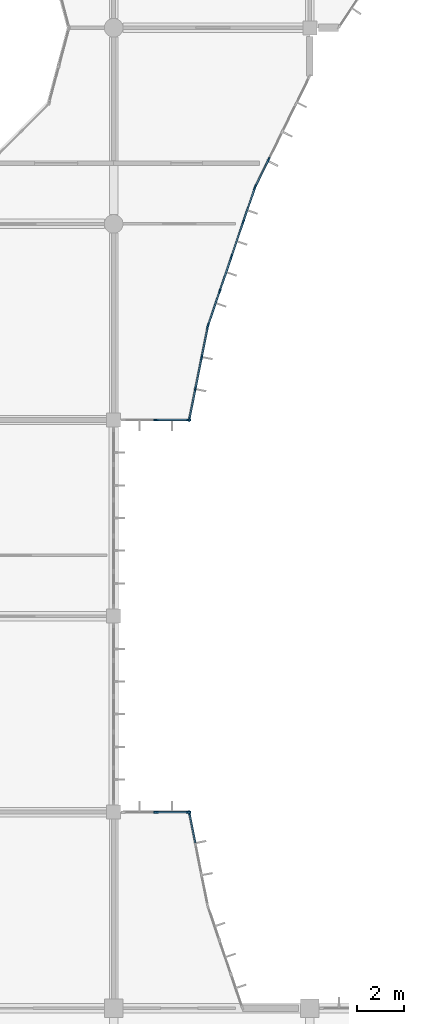
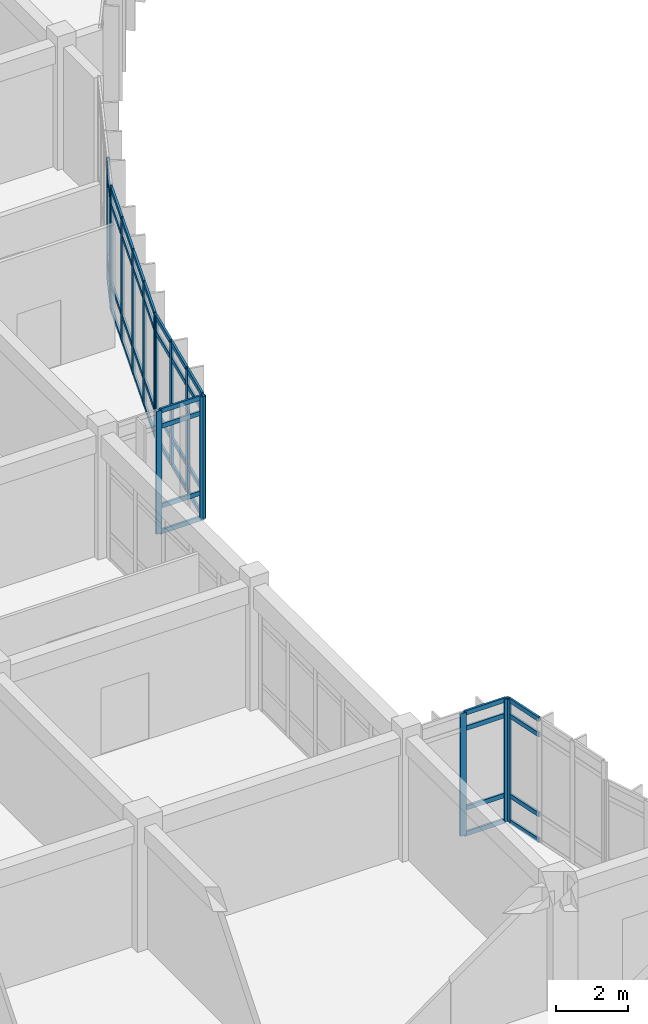
# One storey, part 62 of 144: 59 members, 6 elements without a shape of their own.
"""IFC4 building model written with IfcOpenShell, lengths in metres."""

from ifc_helpers import new_model, si_unit, direction, frame, origin, origin_2d, place, context, subcontext, project, spatial, rectangle, extrude, material, layer, layer_set, material_profile, profile_set, type_object, element, aggregate, save


model = new_model("IFC4")

# Units and contexts
model_context = context("Model", 3, precision=1e-05, world=origin(), true_north=direction((0.0, 1.0)))
body_context = subcontext(model_context, "Body", "Model", "MODEL_VIEW")
ifc_project = project(units=[si_unit("LENGTHUNIT", "METRE"), si_unit("AREAUNIT", "SQUARE_METRE"), si_unit("VOLUMEUNIT", "CUBIC_METRE"), si_unit("PLANEANGLEUNIT", "RADIAN"), si_unit("MASSUNIT", "GRAM", prefix="KILO")], contexts=[model_context])

# Site, building, storey
site_placement = place(None, origin())
site = spatial("IfcSite", under=ifc_project, at=site_placement, CompositionType="ELEMENT")
building_placement = place(site_placement, origin())
building = spatial("IfcBuilding", under=site, at=building_placement, Name="Bramfleet General Hospital", CompositionType="ELEMENT")
storey_placement = place(building_placement, frame((0.0, 0.0, 4.800048828125)))
storey = spatial("IfcBuildingStorey", under=building, at=storey_placement, Name="L01", CompositionType="ELEMENT", Elevation=4.800048828125)

# Curtain wall, members
ifc_material_1 = material(Name="Anodised aluminium and low-E triple glazing", Category="aluminium")
ifc_layer_1 = layer(ifc_material_1, 0.179931640625, Name="CWT-CW-05")
ifc_layer_set_1 = layer_set([ifc_layer_1], Name="Anodised aluminium and low-E triple glazing")
curtain_wall_type_1 = type_object("IfcCurtainWallType", Name="CWT-CW-05", PredefinedType="USERDEFINED", material=ifc_layer_set_1)
curtain_wall_1_placement = place(storey_placement, origin())
curtain_wall_1 = element("IfcCurtainWall", 1, at=curtain_wall_1_placement, inside=storey, type_object=curtain_wall_type_1, Name="L01 Curtain Wall 59", ObjectType="Unitised curtain wall", PredefinedType="USERDEFINED")
ifc_material_2 = material(Name="Structural timber GL28h", Category="wood")
ifc_material_profile_1 = material_profile(ifc_material_2, rectangle(XDim=0.070068359375, YDim=0.18994140625, at=origin_2d()), Name="LARCH 190x70")
ifc_profile_set_1 = profile_set([ifc_material_profile_1], Name="Structural timber GL28h")
member_type_1 = type_object("IfcMemberType", Name="CWM-LARCH450", PredefinedType="MULLION", material=ifc_profile_set_1)
member_1_placement = place(storey_placement, frame((132.640380859375, 61.558349609375, 0.0), z_axis=(0.0, 0.0, 1.0), x_axis=(0.896864723513, -0.442304948782, 0.0)))
member_1 = element("IfcMember", 2, at=member_1_placement, type_object=member_type_1, Name="CW-05 mullion 4", PredefinedType="MULLION", context=body_context, shape_type="SweptSolid", body=[
    extrude(rectangle(XDim=0.070068359375, YDim=0.18994140625, at=origin_2d()), origin(), (0.0, 0.0, 1.0), 4.139892578125),
])
member_2_placement = place(storey_placement, frame((132.069580078125, 60.400390625, 0.0), z_axis=(0.0, 0.0, 1.0), x_axis=(0.896864723513, -0.442304948782, 0.0)))
member_2 = element("IfcMember", 3, at=member_2_placement, type_object=member_type_1, Name="CW-05 mullion 5", PredefinedType="MULLION", context=body_context, shape_type="SweptSolid", body=[
    extrude(rectangle(XDim=0.070068359375, YDim=0.18994140625, at=origin_2d()), origin(), (0.0, 0.0, 1.0), 4.139892578125),
])

ifc_layer_2 = layer(ifc_material_1, 0.179931640625, Name="CWT-CW-06")
ifc_layer_set_2 = layer_set([ifc_layer_2], Name="Anodised aluminium and low-E triple glazing")
curtain_wall_type_2 = type_object("IfcCurtainWallType", Name="CWT-CW-06", PredefinedType="USERDEFINED", material=ifc_layer_set_2)
curtain_wall_2_placement = place(storey_placement, origin())
curtain_wall_2 = element("IfcCurtainWall", 4, at=curtain_wall_2_placement, inside=storey, type_object=curtain_wall_type_2, Name="L01 Curtain Wall 60", ObjectType="Unitised curtain wall", PredefinedType="USERDEFINED")
member_3_placement = place(storey_placement, frame((132.042724609375, 60.3359375, 0.0), z_axis=(0.0, 0.0, 1.0), x_axis=(0.946949276617, -0.321383054181, 0.0)))
member_3 = element("IfcMember", 5, at=member_3_placement, type_object=member_type_1, Name="CW-06 mullion 1", PredefinedType="MULLION", context=body_context, shape_type="SweptSolid", body=[
    extrude(rectangle(XDim=0.070068359375, YDim=0.18994140625, at=origin_2d()), origin(), (0.0, 0.0, 1.0), 4.139892578125),
])
member_4_placement = place(storey_placement, frame((131.549560546875, 58.882568359375, 0.0), z_axis=(0.0, 0.0, 1.0), x_axis=(0.946949276617, -0.321383054181, 0.0)))
member_4 = element("IfcMember", 6, at=member_4_placement, type_object=member_type_1, Name="CW-06 mullion 2", PredefinedType="MULLION", context=body_context, shape_type="SweptSolid", body=[
    extrude(rectangle(XDim=0.070068359375, YDim=0.18994140625, at=origin_2d()), origin(), (0.0, 0.0, 1.0), 4.139892578125),
])
member_5_placement = place(storey_placement, frame((131.044921875, 57.39599609375, 0.0), z_axis=(0.0, 0.0, 1.0), x_axis=(0.946949276617, -0.321383054181, 0.0)))
member_5 = element("IfcMember", 7, at=member_5_placement, type_object=member_type_1, Name="CW-06 mullion 3", PredefinedType="MULLION", context=body_context, shape_type="SweptSolid", body=[
    extrude(rectangle(XDim=0.070068359375, YDim=0.18994140625, at=origin_2d()), origin(), (0.0, 0.0, 1.0), 4.139892578125),
])
member_6_placement = place(storey_placement, frame((130.54052734375, 55.909423828125, 0.0), z_axis=(0.0, 0.0, 1.0), x_axis=(0.946949276617, -0.321383054181, 0.0)))
member_6 = element("IfcMember", 8, at=member_6_placement, type_object=member_type_1, Name="CW-06 mullion 4", PredefinedType="MULLION", context=body_context, shape_type="SweptSolid", body=[
    extrude(rectangle(XDim=0.070068359375, YDim=0.18994140625, at=origin_2d()), origin(), (0.0, 0.0, 1.0), 4.139892578125),
])
member_7_placement = place(storey_placement, frame((130.04736328125, 54.4560546875, 0.0), z_axis=(0.0, 0.0, 1.0), x_axis=(0.946949276617, -0.321383054181, 0.0)))
member_7 = element("IfcMember", 9, at=member_7_placement, type_object=member_type_1, Name="CW-06 mullion 5", PredefinedType="MULLION", context=body_context, shape_type="SweptSolid", body=[
    extrude(rectangle(XDim=0.070068359375, YDim=0.18994140625, at=origin_2d()), origin(), (0.0, 0.0, 1.0), 4.139892578125),
])

ifc_layer_3 = layer(ifc_material_1, 0.179931640625, Name="CWT-CW-07")
ifc_layer_set_3 = layer_set([ifc_layer_3], Name="Anodised aluminium and low-E triple glazing")
curtain_wall_type_3 = type_object("IfcCurtainWallType", Name="CWT-CW-07", PredefinedType="USERDEFINED", material=ifc_layer_set_3)
curtain_wall_3_placement = place(storey_placement, origin())
curtain_wall_3 = element("IfcCurtainWall", 10, at=curtain_wall_3_placement, inside=storey, type_object=curtain_wall_type_3, Name="L01 Curtain Wall 61", ObjectType="Unitised curtain wall", PredefinedType="USERDEFINED")
member_8_placement = place(storey_placement, frame((130.029052734375, 54.388671875, 0.0), z_axis=(0.0, 0.0, 1.0), x_axis=(0.980749087161, -0.195272189606, 0.0)))
member_8 = element("IfcMember", 11, at=member_8_placement, type_object=member_type_1, Name="CW-07 mullion 1", PredefinedType="MULLION", context=body_context, shape_type="SweptSolid", body=[
    extrude(rectangle(XDim=0.070068359375, YDim=0.18994140625, at=origin_2d()), origin(), (0.0, 0.0, 1.0), 4.139892578125),
])
member_9_placement = place(storey_placement, frame((129.76904296875, 53.08203125, 0.0), z_axis=(0.0, 0.0, 1.0), x_axis=(0.980749087161, -0.195272189606, 0.0)))
member_9 = element("IfcMember", 12, at=member_9_placement, type_object=member_type_1, Name="CW-07 mullion 2", PredefinedType="MULLION", context=body_context, shape_type="SweptSolid", body=[
    extrude(rectangle(XDim=0.070068359375, YDim=0.18994140625, at=origin_2d()), origin(), (0.0, 0.0, 1.0), 4.139892578125),
])
member_10_placement = place(storey_placement, frame((129.501953125, 51.740966796875, 0.0), z_axis=(0.0, 0.0, 1.0), x_axis=(0.980749087161, -0.195272189606, 0.0)))
member_10 = element("IfcMember", 13, at=member_10_placement, type_object=member_type_1, Name="CW-07 mullion 3", PredefinedType="MULLION", context=body_context, shape_type="SweptSolid", body=[
    extrude(rectangle(XDim=0.070068359375, YDim=0.18994140625, at=origin_2d()), origin(), (0.0, 0.0, 1.0), 4.139892578125),
])
member_11_placement = place(storey_placement, frame((129.241943359375, 50.434326171875, 0.0), z_axis=(0.0, 0.0, 1.0), x_axis=(0.980749087161, -0.195272189606, 0.0)))
member_11 = element("IfcMember", 14, at=member_11_placement, type_object=member_type_1, Name="CW-07 mullion 4", PredefinedType="MULLION", context=body_context, shape_type="SweptSolid", body=[
    extrude(rectangle(XDim=0.070068359375, YDim=0.18994140625, at=origin_2d()), origin(), (0.0, 0.0, 1.0), 4.139892578125),
])

ifc_layer_4 = layer(ifc_material_1, 0.179931640625, Name="CWT-CW-08")
ifc_layer_set_4 = layer_set([ifc_layer_4], Name="Anodised aluminium and low-E triple glazing")
curtain_wall_type_4 = type_object("IfcCurtainWallType", Name="CWT-CW-08", PredefinedType="USERDEFINED", material=ifc_layer_set_4)
curtain_wall_4_placement = place(storey_placement, origin())
curtain_wall_4 = element("IfcCurtainWall", 15, at=curtain_wall_4_placement, inside=storey, type_object=curtain_wall_type_4, Name="L01 Curtain Wall 62", ObjectType="Unitised curtain wall", PredefinedType="USERDEFINED")
member_12_placement = place(storey_placement, frame((129.199951171875, 50.39990234375, 0.0), z_axis=(0.0, 0.0, 1.0), x_axis=(0.0, -1.0, 0.0)))
member_12 = element("IfcMember", 16, at=member_12_placement, type_object=member_type_1, Name="CW-08 mullion 1", PredefinedType="MULLION", context=body_context, shape_type="SweptSolid", body=[
    extrude(rectangle(XDim=0.070068359375, YDim=0.18994140625, at=origin_2d()), origin(), (0.0, 0.0, 1.0), 4.139892578125),
])
member_13_placement = place(storey_placement, frame((127.804931640625, 50.39990234375, 0.0), z_axis=(0.0, 0.0, 1.0), x_axis=(0.0, -1.0, 0.0)))
member_13 = element("IfcMember", 17, at=member_13_placement, type_object=member_type_1, Name="CW-08 mullion 2", PredefinedType="MULLION", context=body_context, shape_type="SweptSolid", body=[
    extrude(rectangle(XDim=0.070068359375, YDim=0.18994140625, at=origin_2d()), origin(), (0.0, 0.0, 1.0), 4.139892578125),
])

ifc_layer_5 = layer(ifc_material_1, 0.179931640625, Name="CWT-CW-11")
ifc_layer_set_5 = layer_set([ifc_layer_5], Name="Anodised aluminium and low-E triple glazing")
curtain_wall_type_5 = type_object("IfcCurtainWallType", Name="CWT-CW-11", PredefinedType="USERDEFINED", material=ifc_layer_set_5)
curtain_wall_5_placement = place(storey_placement, origin())
curtain_wall_5 = element("IfcCurtainWall", 18, at=curtain_wall_5_placement, inside=storey, type_object=curtain_wall_type_5, Name="L01 Curtain Wall 65", ObjectType="Stick curtain wall", PredefinedType="USERDEFINED")
member_14_placement = place(storey_placement, frame((127.804931640625, 33.60009765625, 0.0), z_axis=(0.0, 0.0, 1.0), x_axis=(0.0, 1.0, 0.0)))
member_14 = element("IfcMember", 19, at=member_14_placement, type_object=member_type_1, Name="CW-11 mullion 2", PredefinedType="MULLION", context=body_context, shape_type="SweptSolid", body=[
    extrude(rectangle(XDim=0.070068359375, YDim=0.18994140625, at=origin_2d()), origin(), (0.0, 0.0, 1.0), 4.139892578125),
])
member_15_placement = place(storey_placement, frame((129.199951171875, 33.60009765625, 0.0), z_axis=(0.0, 0.0, 1.0), x_axis=(0.0, 1.0, 0.0)))
member_15 = element("IfcMember", 20, at=member_15_placement, type_object=member_type_1, Name="CW-11 mullion 3", PredefinedType="MULLION", context=body_context, shape_type="SweptSolid", body=[
    extrude(rectangle(XDim=0.070068359375, YDim=0.18994140625, at=origin_2d()), origin(), (0.0, 0.0, 1.0), 4.139892578125),
])

# Curtain wall, member
ifc_layer_6 = layer(ifc_material_1, 0.179931640625, Name="CWT-CW-12")
ifc_layer_set_6 = layer_set([ifc_layer_6], Name="Anodised aluminium and low-E triple glazing")
curtain_wall_type_6 = type_object("IfcCurtainWallType", Name="CWT-CW-12", PredefinedType="USERDEFINED", material=ifc_layer_set_6)
curtain_wall_6_placement = place(storey_placement, origin())
curtain_wall_6 = element("IfcCurtainWall", 21, at=curtain_wall_6_placement, inside=storey, type_object=curtain_wall_type_6, Name="L01 Curtain Wall 66", ObjectType="Stick curtain wall", PredefinedType="USERDEFINED")
member_16_placement = place(storey_placement, frame((129.241943359375, 33.565673828125, 0.0), z_axis=(0.0, 0.0, 1.0), x_axis=(0.980749087161, 0.195272189606, 0.0)))
member_16 = element("IfcMember", 22, at=member_16_placement, type_object=member_type_1, Name="CW-12 mullion 1", PredefinedType="MULLION", context=body_context, shape_type="SweptSolid", body=[
    extrude(rectangle(XDim=0.070068359375, YDim=0.18994140625, at=origin_2d()), origin(), (0.0, 0.0, 1.0), 4.139892578125),
])

# Member
ifc_material_profile_2 = material_profile(ifc_material_2, rectangle(XDim=0.06494140625, YDim=0.14990234375, at=origin_2d()), Name="LARCH 150x65")
ifc_profile_set_2 = profile_set([ifc_material_profile_2], Name="Structural timber GL28h")
member_type_2 = type_object("IfcMemberType", Name="CWT-LARCH220", PredefinedType="USERDEFINED", material=ifc_profile_set_2)
member_17_placement = place(storey_placement, frame((132.625, 61.52685546875, 0.032470703125), z_axis=(-0.442327738397, -0.896853484046, 0.0), x_axis=(0.896853484046, -0.442327738397, 0.0)))
member_17 = element("IfcMember", 23, at=member_17_placement, type_object=member_type_2, Name="CW-05 transom 4.1", ObjectType="TRANSOM", PredefinedType="USERDEFINED", context=body_context, shape_type="SweptSolid", body=[
    extrude(rectangle(XDim=0.06494140625, YDim=0.14990234375, at=origin_2d()), origin(), (0.0, 0.0, 1.0), 1.220947265625),
])

member_18_placement = place(storey_placement, frame((132.625, 61.52685546875, 0.89990234375), z_axis=(-0.442327738397, -0.896853484046, 0.0), x_axis=(0.896853484046, -0.442327738397, 0.0)))
member_18 = element("IfcMember", 24, at=member_18_placement, type_object=member_type_2, Name="CW-05 transom 4.2", ObjectType="TRANSOM", PredefinedType="USERDEFINED", context=body_context, shape_type="SweptSolid", body=[
    extrude(rectangle(XDim=0.06494140625, YDim=0.14990234375, at=origin_2d()), origin(), (0.0, 0.0, 1.0), 1.220947265625),
])

member_19_placement = place(storey_placement, frame((132.625, 61.52685546875, 3.58984375), z_axis=(-0.442327738397, -0.896853484046, 0.0), x_axis=(0.896853484046, -0.442327738397, 0.0)))
member_19 = element("IfcMember", 25, at=member_19_placement, type_object=member_type_2, Name="CW-05 transom 4.3", ObjectType="TRANSOM", PredefinedType="USERDEFINED", context=body_context, shape_type="SweptSolid", body=[
    extrude(rectangle(XDim=0.06494140625, YDim=0.14990234375, at=origin_2d()), origin(), (0.0, 0.0, 1.0), 1.220947265625),
])

aggregate(curtain_wall_1, [member_1, member_2, member_17, member_18, member_19])

member_20_placement = place(storey_placement, frame((132.031494140625, 60.302734375, 0.032470703125), z_axis=(-0.32132303331, -0.946969644848, 0.0), x_axis=(0.946969644848, -0.32132303331, 0.0)))
member_20 = element("IfcMember", 26, at=member_20_placement, type_object=member_type_2, Name="CW-06 transom 1.1", ObjectType="TRANSOM", PredefinedType="USERDEFINED", context=body_context, shape_type="SweptSolid", body=[
    extrude(rectangle(XDim=0.06494140625, YDim=0.14990234375, at=origin_2d()), origin(), (0.0, 0.0, 1.0), 1.46484375),
])

member_21_placement = place(storey_placement, frame((132.031494140625, 60.302734375, 0.89990234375), z_axis=(-0.32132303331, -0.946969644848, 0.0), x_axis=(0.946969644848, -0.32132303331, 0.0)))
member_21 = element("IfcMember", 27, at=member_21_placement, type_object=member_type_2, Name="CW-06 transom 1.2", ObjectType="TRANSOM", PredefinedType="USERDEFINED", context=body_context, shape_type="SweptSolid", body=[
    extrude(rectangle(XDim=0.06494140625, YDim=0.14990234375, at=origin_2d()), origin(), (0.0, 0.0, 1.0), 1.46484375),
])

member_22_placement = place(storey_placement, frame((132.031494140625, 60.302734375, 3.58984375), z_axis=(-0.32132303331, -0.946969644848, 0.0), x_axis=(0.946969644848, -0.32132303331, 0.0)))
member_22 = element("IfcMember", 28, at=member_22_placement, type_object=member_type_2, Name="CW-06 transom 1.3", ObjectType="TRANSOM", PredefinedType="USERDEFINED", context=body_context, shape_type="SweptSolid", body=[
    extrude(rectangle(XDim=0.06494140625, YDim=0.14990234375, at=origin_2d()), origin(), (0.0, 0.0, 1.0), 1.46484375),
])

member_23_placement = place(storey_placement, frame((132.031494140625, 60.302734375, 4.107421875), z_axis=(-0.32132303331, -0.946969644848, 0.0), x_axis=(0.946969644848, -0.32132303331, 0.0)))
member_23 = element("IfcMember", 29, at=member_23_placement, type_object=member_type_2, Name="CW-06 transom 1.4", ObjectType="TRANSOM", PredefinedType="USERDEFINED", context=body_context, shape_type="SweptSolid", body=[
    extrude(rectangle(XDim=0.06494140625, YDim=0.14990234375, at=origin_2d()), origin(), (0.0, 0.0, 1.0), 1.46484375),
])

member_24_placement = place(storey_placement, frame((131.538330078125, 58.849365234375, 0.032470703125), z_axis=(-0.32149705863, -0.946910577242, 0.0), x_axis=(0.946910577242, -0.32149705863, 0.0)))
member_24 = element("IfcMember", 30, at=member_24_placement, type_object=member_type_2, Name="CW-06 transom 2.1", ObjectType="TRANSOM", PredefinedType="USERDEFINED", context=body_context, shape_type="SweptSolid", body=[
    extrude(rectangle(XDim=0.06494140625, YDim=0.14990234375, at=origin_2d()), origin(), (0.0, 0.0, 1.0), 1.499755859375),
])

member_25_placement = place(storey_placement, frame((131.538330078125, 58.849365234375, 0.89990234375), z_axis=(-0.32149705863, -0.946910577242, 0.0), x_axis=(0.946910577242, -0.32149705863, 0.0)))
member_25 = element("IfcMember", 31, at=member_25_placement, type_object=member_type_2, Name="CW-06 transom 2.2", ObjectType="TRANSOM", PredefinedType="USERDEFINED", context=body_context, shape_type="SweptSolid", body=[
    extrude(rectangle(XDim=0.06494140625, YDim=0.14990234375, at=origin_2d()), origin(), (0.0, 0.0, 1.0), 1.499755859375),
])

member_26_placement = place(storey_placement, frame((131.538330078125, 58.849365234375, 3.58984375), z_axis=(-0.32149705863, -0.946910577242, 0.0), x_axis=(0.946910577242, -0.32149705863, 0.0)))
member_26 = element("IfcMember", 32, at=member_26_placement, type_object=member_type_2, Name="CW-06 transom 2.3", ObjectType="TRANSOM", PredefinedType="USERDEFINED", context=body_context, shape_type="SweptSolid", body=[
    extrude(rectangle(XDim=0.06494140625, YDim=0.14990234375, at=origin_2d()), origin(), (0.0, 0.0, 1.0), 1.499755859375),
])

member_27_placement = place(storey_placement, frame((131.538330078125, 58.849365234375, 4.107421875), z_axis=(-0.32149705863, -0.946910577242, 0.0), x_axis=(0.946910577242, -0.32149705863, 0.0)))
member_27 = element("IfcMember", 33, at=member_27_placement, type_object=member_type_2, Name="CW-06 transom 2.4", ObjectType="TRANSOM", PredefinedType="USERDEFINED", context=body_context, shape_type="SweptSolid", body=[
    extrude(rectangle(XDim=0.06494140625, YDim=0.14990234375, at=origin_2d()), origin(), (0.0, 0.0, 1.0), 1.499755859375),
])

member_28_placement = place(storey_placement, frame((131.03369140625, 57.36279296875, 0.032470703125), z_axis=(-0.321351089195, -0.946960124542, 0.0), x_axis=(0.946960124542, -0.321351089195, 0.0)))
member_28 = element("IfcMember", 34, at=member_28_placement, type_object=member_type_2, Name="CW-06 transom 3.1", ObjectType="TRANSOM", PredefinedType="USERDEFINED", context=body_context, shape_type="SweptSolid", body=[
    extrude(rectangle(XDim=0.06494140625, YDim=0.14990234375, at=origin_2d()), origin(), (0.0, 0.0, 1.0), 1.499755859375),
])

member_29_placement = place(storey_placement, frame((131.03369140625, 57.36279296875, 0.89990234375), z_axis=(-0.321351089195, -0.946960124542, 0.0), x_axis=(0.946960124542, -0.321351089195, 0.0)))
member_29 = element("IfcMember", 35, at=member_29_placement, type_object=member_type_2, Name="CW-06 transom 3.2", ObjectType="TRANSOM", PredefinedType="USERDEFINED", context=body_context, shape_type="SweptSolid", body=[
    extrude(rectangle(XDim=0.06494140625, YDim=0.14990234375, at=origin_2d()), origin(), (0.0, 0.0, 1.0), 1.499755859375),
])

member_30_placement = place(storey_placement, frame((131.03369140625, 57.36279296875, 3.58984375), z_axis=(-0.321351089195, -0.946960124542, 0.0), x_axis=(0.946960124542, -0.321351089195, 0.0)))
member_30 = element("IfcMember", 36, at=member_30_placement, type_object=member_type_2, Name="CW-06 transom 3.3", ObjectType="TRANSOM", PredefinedType="USERDEFINED", context=body_context, shape_type="SweptSolid", body=[
    extrude(rectangle(XDim=0.06494140625, YDim=0.14990234375, at=origin_2d()), origin(), (0.0, 0.0, 1.0), 1.499755859375),
])

member_31_placement = place(storey_placement, frame((131.03369140625, 57.36279296875, 4.107421875), z_axis=(-0.321351089195, -0.946960124542, 0.0), x_axis=(0.946960124542, -0.321351089195, 0.0)))
member_31 = element("IfcMember", 37, at=member_31_placement, type_object=member_type_2, Name="CW-06 transom 3.4", ObjectType="TRANSOM", PredefinedType="USERDEFINED", context=body_context, shape_type="SweptSolid", body=[
    extrude(rectangle(XDim=0.06494140625, YDim=0.14990234375, at=origin_2d()), origin(), (0.0, 0.0, 1.0), 1.499755859375),
])

member_32_placement = place(storey_placement, frame((130.529296875, 55.87646484375, 0.032470703125), z_axis=(-0.32132303331, -0.946969644848, 0.0), x_axis=(0.946969644848, -0.32132303331, 0.0)))
member_32 = element("IfcMember", 38, at=member_32_placement, type_object=member_type_2, Name="CW-06 transom 4.1", ObjectType="TRANSOM", PredefinedType="USERDEFINED", context=body_context, shape_type="SweptSolid", body=[
    extrude(rectangle(XDim=0.06494140625, YDim=0.14990234375, at=origin_2d()), origin(), (0.0, 0.0, 1.0), 1.46484375),
])

member_33_placement = place(storey_placement, frame((130.529296875, 55.87646484375, 0.89990234375), z_axis=(-0.32132303331, -0.946969644848, 0.0), x_axis=(0.946969644848, -0.32132303331, 0.0)))
member_33 = element("IfcMember", 39, at=member_33_placement, type_object=member_type_2, Name="CW-06 transom 4.2", ObjectType="TRANSOM", PredefinedType="USERDEFINED", context=body_context, shape_type="SweptSolid", body=[
    extrude(rectangle(XDim=0.06494140625, YDim=0.14990234375, at=origin_2d()), origin(), (0.0, 0.0, 1.0), 1.46484375),
])

member_34_placement = place(storey_placement, frame((130.529296875, 55.87646484375, 3.58984375), z_axis=(-0.32132303331, -0.946969644848, 0.0), x_axis=(0.946969644848, -0.32132303331, 0.0)))
member_34 = element("IfcMember", 40, at=member_34_placement, type_object=member_type_2, Name="CW-06 transom 4.3", ObjectType="TRANSOM", PredefinedType="USERDEFINED", context=body_context, shape_type="SweptSolid", body=[
    extrude(rectangle(XDim=0.06494140625, YDim=0.14990234375, at=origin_2d()), origin(), (0.0, 0.0, 1.0), 1.46484375),
])

member_35_placement = place(storey_placement, frame((130.529296875, 55.87646484375, 4.107421875), z_axis=(-0.32132303331, -0.946969644848, 0.0), x_axis=(0.946969644848, -0.32132303331, 0.0)))
member_35 = element("IfcMember", 41, at=member_35_placement, type_object=member_type_2, Name="CW-06 transom 4.4", ObjectType="TRANSOM", PredefinedType="USERDEFINED", context=body_context, shape_type="SweptSolid", body=[
    extrude(rectangle(XDim=0.06494140625, YDim=0.14990234375, at=origin_2d()), origin(), (0.0, 0.0, 1.0), 1.46484375),
])

aggregate(curtain_wall_2, [member_3, member_4, member_5, member_6, member_7, member_20, member_21, member_22, member_23, member_24, member_25, member_26, member_27, member_28, member_29, member_30, member_31, member_32, member_33, member_34, member_35])

member_36_placement = place(storey_placement, frame((130.022216796875, 54.354248046875, 0.032470703125), z_axis=(-0.195148998153, -0.980773607169, 0.0), x_axis=(0.980773607169, -0.195148998153, 0.0)))
member_36 = element("IfcMember", 42, at=member_36_placement, type_object=member_type_2, Name="CW-07 transom 1.1", ObjectType="TRANSOM", PredefinedType="USERDEFINED", context=body_context, shape_type="SweptSolid", body=[
    extrude(rectangle(XDim=0.06494140625, YDim=0.14990234375, at=origin_2d()), origin(), (0.0, 0.0, 1.0), 1.26220703125),
])

member_37_placement = place(storey_placement, frame((130.022216796875, 54.354248046875, 0.89990234375), z_axis=(-0.195148998153, -0.980773607169, 0.0), x_axis=(0.980773607169, -0.195148998153, 0.0)))
member_37 = element("IfcMember", 43, at=member_37_placement, type_object=member_type_2, Name="CW-07 transom 1.2", ObjectType="TRANSOM", PredefinedType="USERDEFINED", context=body_context, shape_type="SweptSolid", body=[
    extrude(rectangle(XDim=0.06494140625, YDim=0.14990234375, at=origin_2d()), origin(), (0.0, 0.0, 1.0), 1.26220703125),
])

member_38_placement = place(storey_placement, frame((130.022216796875, 54.354248046875, 3.58984375), z_axis=(-0.195148998153, -0.980773607169, 0.0), x_axis=(0.980773607169, -0.195148998153, 0.0)))
member_38 = element("IfcMember", 44, at=member_38_placement, type_object=member_type_2, Name="CW-07 transom 1.3", ObjectType="TRANSOM", PredefinedType="USERDEFINED", context=body_context, shape_type="SweptSolid", body=[
    extrude(rectangle(XDim=0.06494140625, YDim=0.14990234375, at=origin_2d()), origin(), (0.0, 0.0, 1.0), 1.26220703125),
])

member_39_placement = place(storey_placement, frame((130.022216796875, 54.354248046875, 4.107421875), z_axis=(-0.195148998153, -0.980773607169, 0.0), x_axis=(0.980773607169, -0.195148998153, 0.0)))
member_39 = element("IfcMember", 45, at=member_39_placement, type_object=member_type_2, Name="CW-07 transom 1.4", ObjectType="TRANSOM", PredefinedType="USERDEFINED", context=body_context, shape_type="SweptSolid", body=[
    extrude(rectangle(XDim=0.06494140625, YDim=0.14990234375, at=origin_2d()), origin(), (0.0, 0.0, 1.0), 1.26220703125),
])

member_40_placement = place(storey_placement, frame((129.76220703125, 53.047607421875, 0.032470703125), z_axis=(-0.195356020565, -0.98073239226, 0.0), x_axis=(0.98073239226, -0.195356020565, 0.0)))
member_40 = element("IfcMember", 46, at=member_40_placement, type_object=member_type_2, Name="CW-07 transom 2.1", ObjectType="TRANSOM", PredefinedType="USERDEFINED", context=body_context, shape_type="SweptSolid", body=[
    extrude(rectangle(XDim=0.06494140625, YDim=0.14990234375, at=origin_2d()), origin(), (0.0, 0.0, 1.0), 1.297119140625),
])

member_41_placement = place(storey_placement, frame((129.76220703125, 53.047607421875, 0.89990234375), z_axis=(-0.195356020565, -0.98073239226, 0.0), x_axis=(0.98073239226, -0.195356020565, 0.0)))
member_41 = element("IfcMember", 47, at=member_41_placement, type_object=member_type_2, Name="CW-07 transom 2.2", ObjectType="TRANSOM", PredefinedType="USERDEFINED", context=body_context, shape_type="SweptSolid", body=[
    extrude(rectangle(XDim=0.06494140625, YDim=0.14990234375, at=origin_2d()), origin(), (0.0, 0.0, 1.0), 1.297119140625),
])

member_42_placement = place(storey_placement, frame((129.76220703125, 53.047607421875, 3.58984375), z_axis=(-0.195356020565, -0.98073239226, 0.0), x_axis=(0.98073239226, -0.195356020565, 0.0)))
member_42 = element("IfcMember", 48, at=member_42_placement, type_object=member_type_2, Name="CW-07 transom 2.3", ObjectType="TRANSOM", PredefinedType="USERDEFINED", context=body_context, shape_type="SweptSolid", body=[
    extrude(rectangle(XDim=0.06494140625, YDim=0.14990234375, at=origin_2d()), origin(), (0.0, 0.0, 1.0), 1.297119140625),
])

member_43_placement = place(storey_placement, frame((129.76220703125, 53.047607421875, 4.107421875), z_axis=(-0.195356020565, -0.98073239226, 0.0), x_axis=(0.98073239226, -0.195356020565, 0.0)))
member_43 = element("IfcMember", 49, at=member_43_placement, type_object=member_type_2, Name="CW-07 transom 2.4", ObjectType="TRANSOM", PredefinedType="USERDEFINED", context=body_context, shape_type="SweptSolid", body=[
    extrude(rectangle(XDim=0.06494140625, YDim=0.14990234375, at=origin_2d()), origin(), (0.0, 0.0, 1.0), 1.297119140625),
])

member_44_placement = place(storey_placement, frame((129.4951171875, 51.706787109375, 0.032470703125), z_axis=(-0.195148998153, -0.980773607169, 0.0), x_axis=(0.980773607169, -0.195148998153, 0.0)))
member_44 = element("IfcMember", 50, at=member_44_placement, type_object=member_type_2, Name="CW-07 transom 3.1", ObjectType="TRANSOM", PredefinedType="USERDEFINED", context=body_context, shape_type="SweptSolid", body=[
    extrude(rectangle(XDim=0.06494140625, YDim=0.14990234375, at=origin_2d()), origin(), (0.0, 0.0, 1.0), 1.26220703125),
])

member_45_placement = place(storey_placement, frame((129.4951171875, 51.706787109375, 0.89990234375), z_axis=(-0.195148998153, -0.980773607169, 0.0), x_axis=(0.980773607169, -0.195148998153, 0.0)))
member_45 = element("IfcMember", 51, at=member_45_placement, type_object=member_type_2, Name="CW-07 transom 3.2", ObjectType="TRANSOM", PredefinedType="USERDEFINED", context=body_context, shape_type="SweptSolid", body=[
    extrude(rectangle(XDim=0.06494140625, YDim=0.14990234375, at=origin_2d()), origin(), (0.0, 0.0, 1.0), 1.26220703125),
])

member_46_placement = place(storey_placement, frame((129.4951171875, 51.706787109375, 3.58984375), z_axis=(-0.195148998153, -0.980773607169, 0.0), x_axis=(0.980773607169, -0.195148998153, 0.0)))
member_46 = element("IfcMember", 52, at=member_46_placement, type_object=member_type_2, Name="CW-07 transom 3.3", ObjectType="TRANSOM", PredefinedType="USERDEFINED", context=body_context, shape_type="SweptSolid", body=[
    extrude(rectangle(XDim=0.06494140625, YDim=0.14990234375, at=origin_2d()), origin(), (0.0, 0.0, 1.0), 1.26220703125),
])

member_47_placement = place(storey_placement, frame((129.4951171875, 51.706787109375, 4.107421875), z_axis=(-0.195148998153, -0.980773607169, 0.0), x_axis=(0.980773607169, -0.195148998153, 0.0)))
member_47 = element("IfcMember", 53, at=member_47_placement, type_object=member_type_2, Name="CW-07 transom 3.4", ObjectType="TRANSOM", PredefinedType="USERDEFINED", context=body_context, shape_type="SweptSolid", body=[
    extrude(rectangle(XDim=0.06494140625, YDim=0.14990234375, at=origin_2d()), origin(), (0.0, 0.0, 1.0), 1.26220703125),
])

aggregate(curtain_wall_3, [member_8, member_9, member_10, member_11, member_36, member_37, member_38, member_39, member_40, member_41, member_42, member_43, member_44, member_45, member_46, member_47])

member_48_placement = place(storey_placement, frame((129.1650390625, 50.39990234375, 0.032470703125), z_axis=(-1.0, 0.0, 0.0), x_axis=(0.0, -1.0, 0.0)))
member_48 = element("IfcMember", 54, at=member_48_placement, type_object=member_type_2, Name="CW-08 transom 1.1", ObjectType="TRANSOM", PredefinedType="USERDEFINED", context=body_context, shape_type="SweptSolid", body=[
    extrude(rectangle(XDim=0.06494140625, YDim=0.14990234375, at=origin_2d()), origin(), (0.0, 0.0, 1.0), 1.324951171875),
])

member_49_placement = place(storey_placement, frame((129.1650390625, 50.39990234375, 0.89990234375), z_axis=(-1.0, 0.0, 0.0), x_axis=(0.0, -1.0, 0.0)))
member_49 = element("IfcMember", 55, at=member_49_placement, type_object=member_type_2, Name="CW-08 transom 1.2", ObjectType="TRANSOM", PredefinedType="USERDEFINED", context=body_context, shape_type="SweptSolid", body=[
    extrude(rectangle(XDim=0.06494140625, YDim=0.14990234375, at=origin_2d()), origin(), (0.0, 0.0, 1.0), 1.324951171875),
])

member_50_placement = place(storey_placement, frame((129.1650390625, 50.39990234375, 3.58984375), z_axis=(-1.0, 0.0, 0.0), x_axis=(0.0, -1.0, 0.0)))
member_50 = element("IfcMember", 56, at=member_50_placement, type_object=member_type_2, Name="CW-08 transom 1.3", ObjectType="TRANSOM", PredefinedType="USERDEFINED", context=body_context, shape_type="SweptSolid", body=[
    extrude(rectangle(XDim=0.06494140625, YDim=0.14990234375, at=origin_2d()), origin(), (0.0, 0.0, 1.0), 1.324951171875),
])

member_51_placement = place(storey_placement, frame((129.1650390625, 50.39990234375, 4.107421875), z_axis=(-1.0, 0.0, 0.0), x_axis=(0.0, -1.0, 0.0)))
member_51 = element("IfcMember", 57, at=member_51_placement, type_object=member_type_2, Name="CW-08 transom 1.4", ObjectType="TRANSOM", PredefinedType="USERDEFINED", context=body_context, shape_type="SweptSolid", body=[
    extrude(rectangle(XDim=0.06494140625, YDim=0.14990234375, at=origin_2d()), origin(), (0.0, 0.0, 1.0), 1.324951171875),
])

aggregate(curtain_wall_4, [member_12, member_13, member_48, member_49, member_50, member_51])

member_52_placement = place(storey_placement, frame((127.840087890625, 33.60009765625, 0.032470703125), z_axis=(1.0, 0.0, 0.0), x_axis=(0.0, 1.0, 0.0)))
member_52 = element("IfcMember", 58, at=member_52_placement, type_object=member_type_2, Name="CW-11 transom 2.1", ObjectType="TRANSOM", PredefinedType="USERDEFINED", context=body_context, shape_type="SweptSolid", body=[
    extrude(rectangle(XDim=0.06494140625, YDim=0.14990234375, at=origin_2d()), origin(), (0.0, 0.0, 1.0), 1.324951171875),
])

member_53_placement = place(storey_placement, frame((127.840087890625, 33.60009765625, 0.89990234375), z_axis=(1.0, 0.0, 0.0), x_axis=(0.0, 1.0, 0.0)))
member_53 = element("IfcMember", 59, at=member_53_placement, type_object=member_type_2, Name="CW-11 transom 2.2", ObjectType="TRANSOM", PredefinedType="USERDEFINED", context=body_context, shape_type="SweptSolid", body=[
    extrude(rectangle(XDim=0.06494140625, YDim=0.14990234375, at=origin_2d()), origin(), (0.0, 0.0, 1.0), 1.324951171875),
])

member_54_placement = place(storey_placement, frame((127.840087890625, 33.60009765625, 3.58984375), z_axis=(1.0, 0.0, 0.0), x_axis=(0.0, 1.0, 0.0)))
member_54 = element("IfcMember", 60, at=member_54_placement, type_object=member_type_2, Name="CW-11 transom 2.3", ObjectType="TRANSOM", PredefinedType="USERDEFINED", context=body_context, shape_type="SweptSolid", body=[
    extrude(rectangle(XDim=0.06494140625, YDim=0.14990234375, at=origin_2d()), origin(), (0.0, 0.0, 1.0), 1.324951171875),
])

member_55_placement = place(storey_placement, frame((127.840087890625, 33.60009765625, 4.107421875), z_axis=(1.0, 0.0, 0.0), x_axis=(0.0, 1.0, 0.0)))
member_55 = element("IfcMember", 61, at=member_55_placement, type_object=member_type_2, Name="CW-11 transom 2.4", ObjectType="TRANSOM", PredefinedType="USERDEFINED", context=body_context, shape_type="SweptSolid", body=[
    extrude(rectangle(XDim=0.06494140625, YDim=0.14990234375, at=origin_2d()), origin(), (0.0, 0.0, 1.0), 1.324951171875),
])

aggregate(curtain_wall_5, [member_14, member_15, member_52, member_53, member_54, member_55])

member_56_placement = place(storey_placement, frame((129.248779296875, 33.53125, 0.032470703125), z_axis=(0.195148998153, -0.980773607169, 0.0), x_axis=(0.980773607169, 0.195148998153, 0.0)))
member_56 = element("IfcMember", 62, at=member_56_placement, type_object=member_type_2, Name="CW-12 transom 1.1", ObjectType="TRANSOM", PredefinedType="USERDEFINED", context=body_context, shape_type="SweptSolid", body=[
    extrude(rectangle(XDim=0.06494140625, YDim=0.14990234375, at=origin_2d()), origin(), (0.0, 0.0, 1.0), 1.26220703125),
])

member_57_placement = place(storey_placement, frame((129.248779296875, 33.53125, 0.89990234375), z_axis=(0.195148998153, -0.980773607169, 0.0), x_axis=(0.980773607169, 0.195148998153, 0.0)))
member_57 = element("IfcMember", 63, at=member_57_placement, type_object=member_type_2, Name="CW-12 transom 1.2", ObjectType="TRANSOM", PredefinedType="USERDEFINED", context=body_context, shape_type="SweptSolid", body=[
    extrude(rectangle(XDim=0.06494140625, YDim=0.14990234375, at=origin_2d()), origin(), (0.0, 0.0, 1.0), 1.26220703125),
])

member_58_placement = place(storey_placement, frame((129.248779296875, 33.53125, 3.58984375), z_axis=(0.195148998153, -0.980773607169, 0.0), x_axis=(0.980773607169, 0.195148998153, 0.0)))
member_58 = element("IfcMember", 64, at=member_58_placement, type_object=member_type_2, Name="CW-12 transom 1.3", ObjectType="TRANSOM", PredefinedType="USERDEFINED", context=body_context, shape_type="SweptSolid", body=[
    extrude(rectangle(XDim=0.06494140625, YDim=0.14990234375, at=origin_2d()), origin(), (0.0, 0.0, 1.0), 1.26220703125),
])

member_59_placement = place(storey_placement, frame((129.248779296875, 33.53125, 4.107421875), z_axis=(0.195148998153, -0.980773607169, 0.0), x_axis=(0.980773607169, 0.195148998153, 0.0)))
member_59 = element("IfcMember", 65, at=member_59_placement, type_object=member_type_2, Name="CW-12 transom 1.4", ObjectType="TRANSOM", PredefinedType="USERDEFINED", context=body_context, shape_type="SweptSolid", body=[
    extrude(rectangle(XDim=0.06494140625, YDim=0.14990234375, at=origin_2d()), origin(), (0.0, 0.0, 1.0), 1.26220703125),
])

aggregate(curtain_wall_6, [member_16, member_56, member_57, member_58, member_59])

save(model, "model.ifc")
